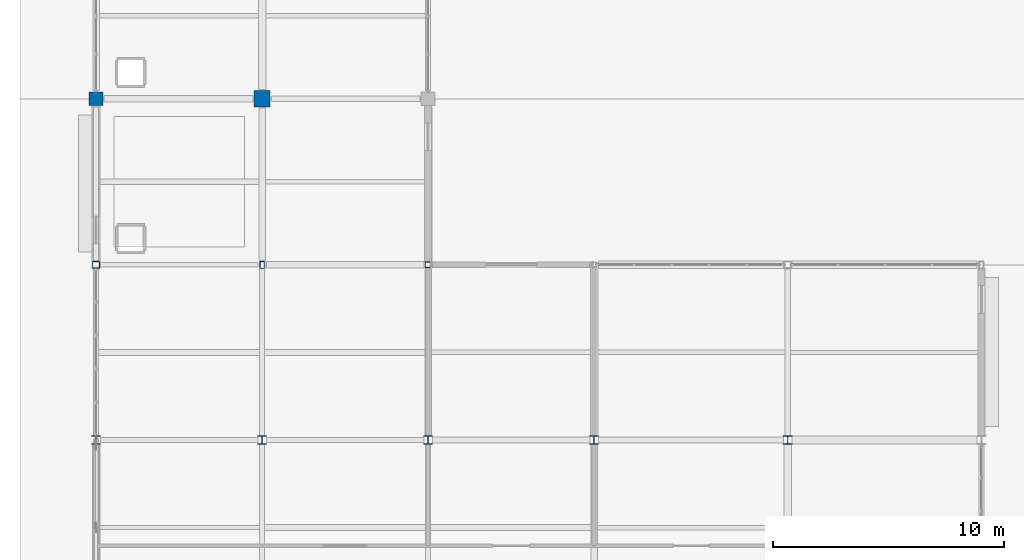
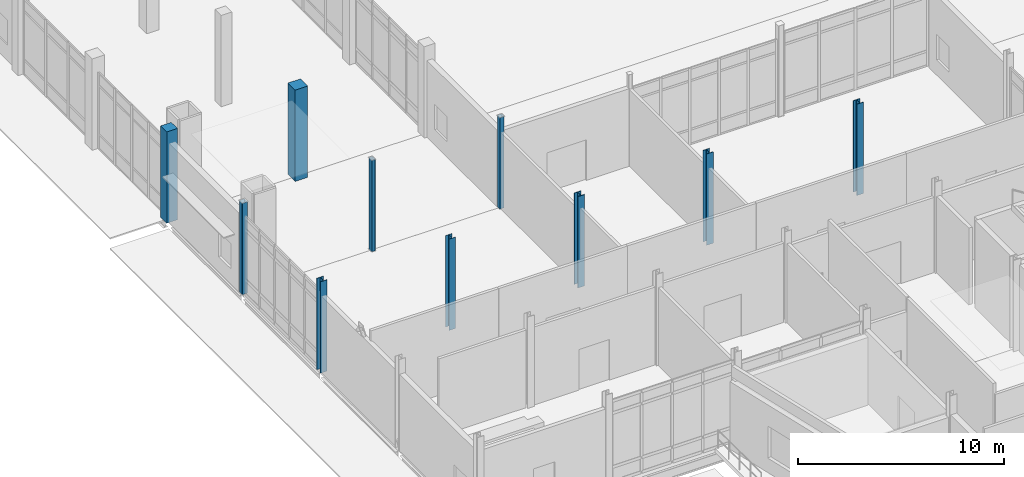
# One storey, part 8 of 229: 10 columns.
"""IFC4 building model written with IfcOpenShell, lengths in metres."""

from ifc_helpers import new_model, si_unit, direction, frame, origin, origin_2d, place, context, subcontext, project, spatial, rectangle, hollow_rectangle, i_section, extrude, material, material_profile, profile_set, type_object, element, save


model = new_model("IFC4")

# Units and contexts
model_context = context("Model", 3, precision=1e-05, world=origin(), true_north=direction((0.0, 1.0)))
body_context = subcontext(model_context, "Body", "Model", "MODEL_VIEW")
ifc_project = project(units=[si_unit("LENGTHUNIT", "METRE"), si_unit("AREAUNIT", "SQUARE_METRE"), si_unit("VOLUMEUNIT", "CUBIC_METRE"), si_unit("PLANEANGLEUNIT", "RADIAN"), si_unit("MASSUNIT", "GRAM", prefix="KILO")], contexts=[model_context])

# Site, building, storey
site_placement = place(None, origin())
site = spatial("IfcSite", under=ifc_project, at=site_placement, CompositionType="ELEMENT")
building_placement = place(site_placement, origin())
building = spatial("IfcBuilding", under=site, at=building_placement, Name="Calvrana Isthmian Art Gallery", CompositionType="ELEMENT")
storey_placement = place(building_placement, origin())
storey = spatial("IfcBuildingStorey", under=building, at=storey_placement, Name="L00", CompositionType="ELEMENT", Elevation=0.0)

# Columns
ifc_material_1 = material(Name="Concrete C40/50", Category="concrete")
ifc_material_profile_1 = material_profile(ifc_material_1, rectangle(XDim=0.60009765625, YDim=0.60009765625, at=origin_2d()), Name="RC600X600")
ifc_profile_set_1 = profile_set([ifc_material_profile_1], Name="Concrete C40/50")
column_type_1 = type_object("IfcColumnType", Name="COL-RC-RC600X600", PredefinedType="COLUMN", material=ifc_profile_set_1)
column_1_placement = place(storey_placement, frame((0.0, 76.800048828125, 0.0), z_axis=(0.0, 0.0, 1.0), x_axis=(1.0, 0.0, 0.0)))
element("IfcColumn", 1, at=column_1_placement, inside=storey, type_object=column_type_1, Name="Column 01/K L00", PredefinedType="COLUMN", context=body_context, shape_type="SweptSolid", body=[
    extrude(rectangle(XDim=0.60009765625, YDim=0.60009765625, at=origin_2d()), origin(), (0.0, 0.0, 1.0), 5.39990234375),
])
ifc_material_profile_2 = material_profile(ifc_material_1, rectangle(XDim=0.699951171875, YDim=0.699951171875, at=origin_2d()), Name="RC700X700")
ifc_profile_set_2 = profile_set([ifc_material_profile_2], Name="Concrete C40/50")
column_type_2 = type_object("IfcColumnType", Name="COL-RC-RC700X700", PredefinedType="COLUMN", material=ifc_profile_set_2)
column_2_placement = place(storey_placement, frame((7.199951171875, 76.800048828125, 0.0), z_axis=(0.0, 0.0, 1.0), x_axis=(1.0, 0.0, 0.0)))
element("IfcColumn", 2, at=column_2_placement, inside=storey, type_object=column_type_2, Name="Column 02/K L00", PredefinedType="COLUMN", context=body_context, shape_type="SweptSolid", body=[
    extrude(rectangle(XDim=0.699951171875, YDim=0.699951171875, at=origin_2d()), origin(), (0.0, 0.0, 1.0), 5.39990234375),
])
ifc_material_2 = material(Name="Steel ASTM A500 Gr C", Category="steel")
ifc_material_profile_3 = material_profile(ifc_material_2, hollow_rectangle(XDim=0.25390625, YDim=0.25390625, WallThickness=0.0126953125, OuterFilletRadius=0.02490234375, at=origin_2d()), Name="HSS254X254X12.7")
ifc_profile_set_3 = profile_set([ifc_material_profile_3], Name="Steel ASTM A500 Gr C")
column_type_3 = type_object("IfcColumnType", Name="COL-STL-HSS254X254X12.7", PredefinedType="COLUMN", material=ifc_profile_set_3)
column_3_placement = place(storey_placement, frame((14.39990234375, 69.60009765625, 0.0), z_axis=(0.0, 0.0, 1.0), x_axis=(1.0, 0.0, 0.0)))
element("IfcColumn", 3, at=column_3_placement, inside=storey, type_object=column_type_3, Name="Column 03/J L00", PredefinedType="COLUMN", context=body_context, shape_type="SweptSolid", body=[
    extrude(hollow_rectangle(XDim=0.25390625, YDim=0.25390625, WallThickness=0.0126953125, OuterFilletRadius=0.02490234375, at=origin_2d()), origin(), (0.0, 0.0, 1.0), 5.39990234375),
])
ifc_material_profile_4 = material_profile(ifc_material_2, hollow_rectangle(XDim=0.203125, YDim=0.3046875, WallThickness=0.0126953125, OuterFilletRadius=0.02490234375, at=origin_2d()), Name="HSS305X203X12.7")
ifc_profile_set_4 = profile_set([ifc_material_profile_4], Name="Steel ASTM A500 Gr C")
column_type_4 = type_object("IfcColumnType", Name="COL-STL-HSS305X203X12.7", PredefinedType="COLUMN", material=ifc_profile_set_4)
column_4_placement = place(storey_placement, frame((7.199951171875, 69.60009765625, 0.0), z_axis=(0.0, 0.0, 1.0), x_axis=(1.0, 0.0, 0.0)))
element("IfcColumn", 4, at=column_4_placement, inside=storey, type_object=column_type_4, Name="Column 02/J L00", PredefinedType="COLUMN", context=body_context, shape_type="SweptSolid", body=[
    extrude(hollow_rectangle(XDim=0.203125, YDim=0.3046875, WallThickness=0.0126953125, OuterFilletRadius=0.02490234375, at=origin_2d()), origin(), (0.0, 0.0, 1.0), 5.39990234375),
])
ifc_material_profile_5 = material_profile(ifc_material_2, hollow_rectangle(XDim=0.3046875, YDim=0.3046875, WallThickness=0.015869140625, OuterFilletRadius=0.031982421875, at=origin_2d()), Name="HSS305X305X15.9")
ifc_profile_set_5 = profile_set([ifc_material_profile_5], Name="Steel ASTM A500 Gr C")
column_type_5 = type_object("IfcColumnType", Name="COL-STL-HSS305X305X15.9", PredefinedType="COLUMN", material=ifc_profile_set_5)
column_5_placement = place(storey_placement, frame((0.0, 69.60009765625, 0.0), z_axis=(0.0, 0.0, 1.0), x_axis=(1.0, 0.0, 0.0)))
element("IfcColumn", 5, at=column_5_placement, inside=storey, type_object=column_type_5, Name="Column 01/J L00", PredefinedType="COLUMN", context=body_context, shape_type="SweptSolid", body=[
    extrude(hollow_rectangle(XDim=0.3046875, YDim=0.3046875, WallThickness=0.015869140625, OuterFilletRadius=0.031982421875, at=origin_2d()), origin(), (0.0, 0.0, 1.0), 5.39990234375),
])
ifc_material_3 = material(Name="Steel ASTM A992 Gr 50", Category="steel")
ifc_material_profile_6 = material_profile(ifc_material_3, i_section(OverallWidth=0.37109375, OverallDepth=0.363037109375, WebThickness=0.01318359375, FlangeThickness=0.021728515625, FilletRadius=0.02490234375, at=origin_2d()), Name="W14X109")
ifc_profile_set_6 = profile_set([ifc_material_profile_6], Name="Steel ASTM A992 Gr 50")
column_type_6 = type_object("IfcColumnType", Name="COL-STL-W14X109", PredefinedType="COLUMN", material=ifc_profile_set_6)
for number, where, z_axis, x_axis, name in (
    (6, (0.0, 62.0, 0.0), (0.0, 0.0, 1.0), (1.0, 0.0, 0.0), "Column 01/I L00"),
    (7, (30.0, 62.0, 0.0), (0.0, 0.0, 1.0), (1.0, 0.0, 0.0), "Column 05/I L00"),
):
    element("IfcColumn", number, at=place(storey_placement, frame(where, z_axis=z_axis, x_axis=x_axis)), inside=storey, type_object=column_type_6, Name=name, PredefinedType="COLUMN", context=body_context, shape_type="SweptSolid", body=[
        extrude(i_section(OverallWidth=0.37109375, OverallDepth=0.363037109375, WebThickness=0.01318359375, FlangeThickness=0.021728515625, FilletRadius=0.02490234375, at=origin_2d()), origin(), (0.0, 0.0, 1.0), 5.39990234375),
    ])
ifc_material_profile_7 = material_profile(ifc_material_3, i_section(OverallWidth=0.373046875, OverallDepth=0.367919921875, WebThickness=0.014892578125, FlangeThickness=0.02392578125, FilletRadius=0.02490234375, at=origin_2d()), Name="W14X120")
ifc_profile_set_7 = profile_set([ifc_material_profile_7], Name="Steel ASTM A992 Gr 50")
column_type_7 = type_object("IfcColumnType", Name="COL-STL-W14X120", PredefinedType="COLUMN", material=ifc_profile_set_7)
column_6_placement = place(storey_placement, frame((21.60009765625, 62.0, 0.0), z_axis=(0.0, 0.0, 1.0), x_axis=(1.0, 0.0, 0.0)))
element("IfcColumn", 8, at=column_6_placement, inside=storey, type_object=column_type_7, Name="Column 04/I L00", PredefinedType="COLUMN", context=body_context, shape_type="SweptSolid", body=[
    extrude(i_section(OverallWidth=0.373046875, OverallDepth=0.367919921875, WebThickness=0.014892578125, FlangeThickness=0.02392578125, FilletRadius=0.02490234375, at=origin_2d()), origin(), (0.0, 0.0, 1.0), 5.39990234375),
])
ifc_material_profile_8 = material_profile(ifc_material_3, i_section(OverallWidth=0.373046875, OverallDepth=0.373046875, WebThickness=0.016357421875, FlangeThickness=0.026123046875, FilletRadius=0.02490234375, at=origin_2d()), Name="W14X132")
ifc_profile_set_8 = profile_set([ifc_material_profile_8], Name="Steel ASTM A992 Gr 50")
column_type_8 = type_object("IfcColumnType", Name="COL-STL-W14X132", PredefinedType="COLUMN", material=ifc_profile_set_8)
column_7_placement = place(storey_placement, frame((14.39990234375, 62.0, 0.0), z_axis=(0.0, 0.0, 1.0), x_axis=(1.0, 0.0, 0.0)))
element("IfcColumn", 9, at=column_7_placement, inside=storey, type_object=column_type_8, Name="Column 03/I L00", PredefinedType="COLUMN", context=body_context, shape_type="SweptSolid", body=[
    extrude(i_section(OverallWidth=0.373046875, OverallDepth=0.373046875, WebThickness=0.016357421875, FlangeThickness=0.026123046875, FilletRadius=0.02490234375, at=origin_2d()), origin(), (0.0, 0.0, 1.0), 5.39990234375),
])
ifc_material_profile_9 = material_profile(ifc_material_3, i_section(OverallWidth=0.367919921875, OverallDepth=0.35595703125, WebThickness=0.01123046875, FlangeThickness=0.01806640625, FilletRadius=0.02490234375, at=origin_2d()), Name="W14X90")
ifc_profile_set_9 = profile_set([ifc_material_profile_9], Name="Steel ASTM A992 Gr 50")
column_type_9 = type_object("IfcColumnType", Name="COL-STL-W14X90", PredefinedType="COLUMN", material=ifc_profile_set_9)
column_8_placement = place(storey_placement, frame((7.199951171875, 62.0, 0.0), z_axis=(0.0, 0.0, 1.0), x_axis=(1.0, 0.0, 0.0)))
element("IfcColumn", 10, at=column_8_placement, inside=storey, type_object=column_type_9, Name="Column 02/I L00", PredefinedType="COLUMN", context=body_context, shape_type="SweptSolid", body=[
    extrude(i_section(OverallWidth=0.367919921875, OverallDepth=0.35595703125, WebThickness=0.01123046875, FlangeThickness=0.01806640625, FilletRadius=0.02490234375, at=origin_2d()), origin(), (0.0, 0.0, 1.0), 5.39990234375),
])

save(model, "model.ifc")
